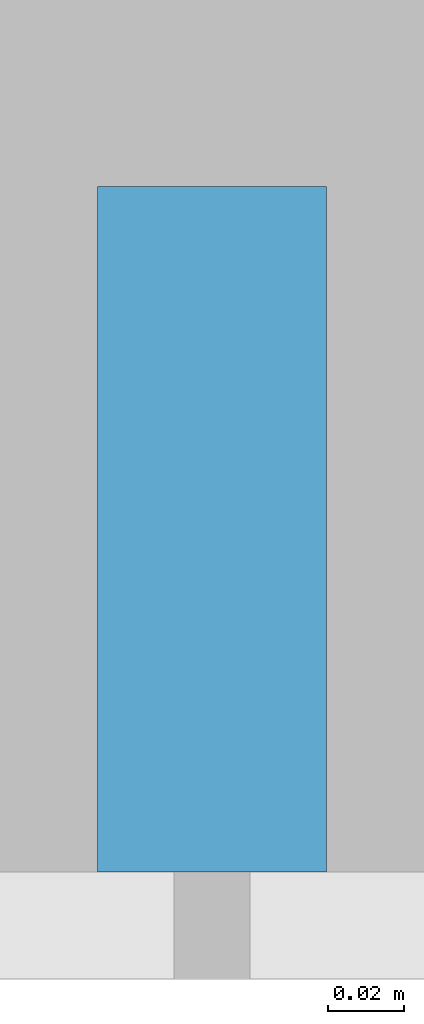
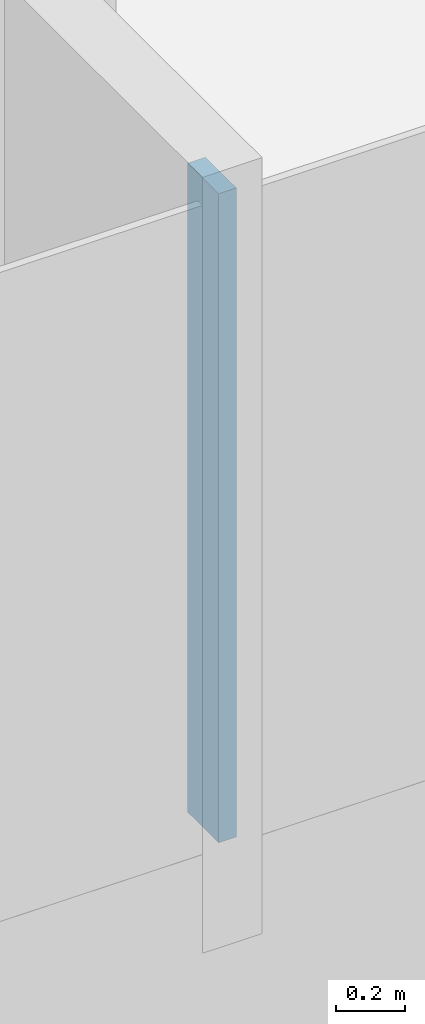
# One storey, part 5 of 25: 1 member, 1 element without a shape of its own.
"""IFC4 building model written with IfcOpenShell, lengths in metres."""

from ifc_helpers import new_model, si_unit, direction, frame, origin, origin_2d, place, context, subcontext, project, spatial, rectangle, extrude, material, layer, layer_set, material_profile, profile_set, type_object, element, aggregate, save


model = new_model("IFC4")

# Units and contexts
model_context = context("Model", 3, precision=1e-05, world=origin(), true_north=direction((0.0, 1.0)))
body_context = subcontext(model_context, "Body", "Model", "MODEL_VIEW")
ifc_project = project(units=[si_unit("LENGTHUNIT", "METRE"), si_unit("AREAUNIT", "SQUARE_METRE"), si_unit("VOLUMEUNIT", "CUBIC_METRE"), si_unit("PLANEANGLEUNIT", "RADIAN"), si_unit("MASSUNIT", "GRAM", prefix="KILO")], contexts=[model_context])

# Site, building, storey
site_placement = place(None, origin())
site = spatial("IfcSite", under=ifc_project, at=site_placement, CompositionType="ELEMENT")
building_placement = place(site_placement, origin())
building = spatial("IfcBuilding", under=site, at=building_placement, Name="Hakoniwa Tower and Hamabe Station Hall", CompositionType="ELEMENT")
storey_placement = place(building_placement, frame((0.0, 0.0, 186.60009765625)))
storey = spatial("IfcBuildingStorey", under=building, at=storey_placement, Name="L52", CompositionType="ELEMENT", Elevation=186.60009765625)

# Curtain wall, member
ifc_material_1 = material(Name="Dark low-e laminated glass", Category="glass")
ifc_layer = layer(ifc_material_1, 0.199951171875)
ifc_layer_set = layer_set([ifc_layer], Name="CW-1 UNITISED GUEST")
curtain_wall_type = type_object("IfcCurtainWallType", Name="CW-1 UNITISED GUEST", PredefinedType="NOTDEFINED", material=ifc_layer_set)
curtain_wall_placement = place(storey_placement, origin())
curtain_wall = element("IfcCurtainWall", 1, at=curtain_wall_placement, inside=storey, type_object=curtain_wall_type, Name="CW-1 curtain wall", PredefinedType="NOTDEFINED")
ifc_material_2 = material(Name="Aluminium 6063-T5 black anodised", Category="aluminium")
ifc_material_profile = material_profile(ifc_material_2, rectangle(XDim=0.06005859375, YDim=0.179931640625, at=origin_2d()), Name="CW-1 MULLION 60X180")
ifc_profile_set = profile_set([ifc_material_profile], Name="Aluminium 6063-T5 black anodised")
member_type = type_object("IfcMemberType", Name="CW-1 MULLION 60X180", PredefinedType="MULLION", material=ifc_profile_set)
member_placement = place(storey_placement, frame((16.800048828125, -15.431884765625, 0.349853515625), z_axis=(0.0, 0.0, 1.0), x_axis=(1.0, 0.0, 0.0)))
member = element("IfcMember", 2, at=member_placement, type_object=member_type, Name="CW-1 mullion", PredefinedType="MULLION", context=body_context, shape_type="SweptSolid", body=[
    extrude(rectangle(XDim=0.06005859375, YDim=0.179931640625, at=origin_2d()), origin(), (0.0, 0.0, 1.0), 2.300048828125),
])
aggregate(curtain_wall, [member])

save(model, "model.ifc")
